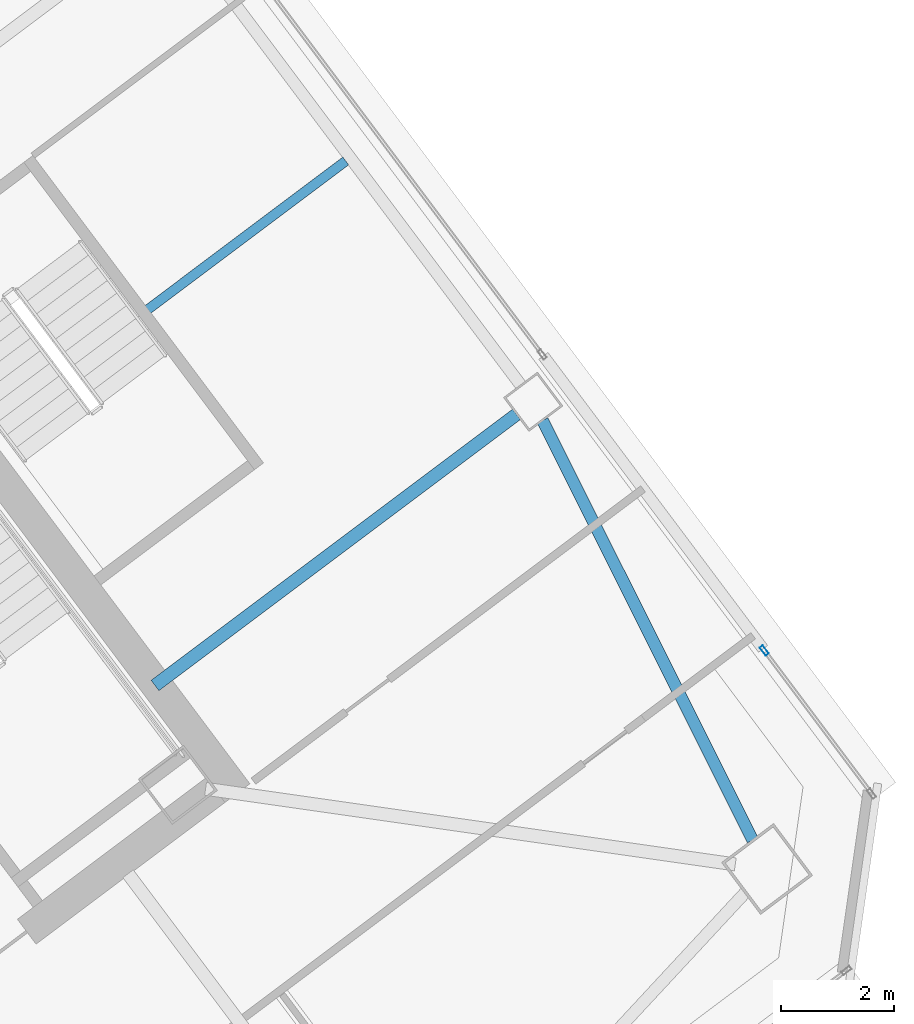
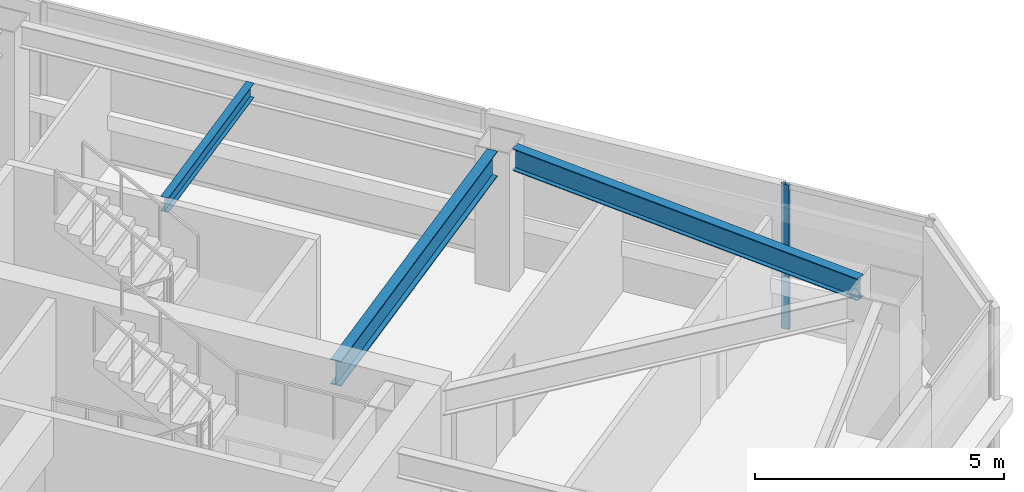
# One storey, part 24 of 41: 3 beams, 1 member, 1 element without a shape of its own.
"""IFC4 building model written with IfcOpenShell, lengths in metres."""

from ifc_helpers import new_model, si_unit, direction, frame, origin, origin_2d, place, context, subcontext, project, spatial, hollow_rectangle, i_section, extrude, material, material_profile, profile_set, type_object, element, aggregate, save


model = new_model("IFC4")

# Units and contexts
model_context = context("Model", 3, precision=1e-05, world=origin(), true_north=direction((0.0, 1.0)))
body_context = subcontext(model_context, "Body", "Model", "MODEL_VIEW")
ifc_project = project(units=[si_unit("LENGTHUNIT", "METRE"), si_unit("AREAUNIT", "SQUARE_METRE"), si_unit("VOLUMEUNIT", "CUBIC_METRE"), si_unit("PLANEANGLEUNIT", "RADIAN"), si_unit("MASSUNIT", "GRAM", prefix="KILO")], contexts=[model_context])

# Site, building, storey
site_placement = place(None, origin())
site = spatial("IfcSite", under=ifc_project, at=site_placement, CompositionType="ELEMENT")
building_placement = place(site_placement, origin())
building = spatial("IfcBuilding", under=site, at=building_placement, Name="Tashvorn Skyway Center", CompositionType="ELEMENT")
storey_placement = place(building_placement, frame((0.0, 0.0, 171.199951171875)))
storey = spatial("IfcBuildingStorey", under=building, at=storey_placement, Name="L46", CompositionType="ELEMENT", Elevation=171.199951171875)

# Beams
ifc_material_1 = material(Name="Steel ASTM A992 Grade 50", Category="steel")
ifc_material_profile_1 = material_profile(ifc_material_1, i_section(OverallWidth=0.22998046875, OverallDepth=0.616943359375, WebThickness=0.01318359375, FlangeThickness=0.022216796875, at=origin_2d()), Name="W24X94")
ifc_profile_set_1 = profile_set([ifc_material_profile_1], Name="Steel ASTM A992 Grade 50")
beam_type_1 = type_object("IfcBeamType", Name="BM-BEAM-W24X94", PredefinedType="BEAM", material=ifc_profile_set_1)
beam_1_placement = place(storey_placement, frame((129.864013671875, 37.14794921875, 3.0615234375), z_axis=(-0.799992675677, -0.60000976564, 0.0), x_axis=(0.60000976564, -0.799992675677, 0.0)))
element("IfcBeam", 1, at=beam_1_placement, inside=storey, type_object=beam_type_1, Name="Tower 2 L46 Primary Floor Girder FC-E1", PredefinedType="BEAM", context=body_context, shape_type="SweptSolid", body=[
    extrude(i_section(OverallWidth=0.22998046875, OverallDepth=0.616943359375, WebThickness=0.01318359375, FlangeThickness=0.022216796875, at=origin_2d()), origin(), (0.0, 0.0, 1.0), 8.0),
])
ifc_material_profile_2 = material_profile(ifc_material_1, i_section(OverallWidth=0.1708984375, OverallDepth=0.35498046875, WebThickness=0.007080078125, FlangeThickness=0.01171875, at=origin_2d()), Name="W14X34")
ifc_profile_set_2 = profile_set([ifc_material_profile_2], Name="Steel ASTM A992 Grade 50")
beam_type_2 = type_object("IfcBeamType", Name="BM-JOIST-W14X34", PredefinedType="JOIST", material=ifc_profile_set_2)
beam_2_placement = place(storey_placement, frame((123.3359375, 39.001953125, 3.192626953125), z_axis=(0.799993315235, 0.600008912917, 0.0), x_axis=(-0.600008912917, 0.799993315235, 0.0)))
element("IfcBeam", 2, at=beam_2_placement, inside=storey, type_object=beam_type_2, Name="Tower 2 L46 Secondary Composite Joist JE", PredefinedType="JOIST", context=body_context, shape_type="SweptSolid", body=[
    extrude(i_section(OverallWidth=0.1708984375, OverallDepth=0.35498046875, WebThickness=0.007080078125, FlangeThickness=0.01171875, at=origin_2d()), origin(), (0.0, 0.0, 1.0), 4.382568359375),
])
ifc_material_profile_3 = material_profile(ifc_material_1, i_section(OverallWidth=0.2109375, OverallDepth=0.5390625, WebThickness=0.01171875, FlangeThickness=0.018798828125, at=origin_2d()), Name="W21X73")
ifc_profile_set_3 = profile_set([ifc_material_profile_3], Name="Steel ASTM A992 Grade 50")
beam_type_3 = type_object("IfcBeamType", Name="BM-SPANDREL-W21X73", PredefinedType="SPANDREL", material=ifc_profile_set_3)
beam_3_placement = place(storey_placement, frame((134.044921875, 29.609619140625, 3.1005859375), z_axis=(-0.447648438059, 0.894209637559, 0.0), x_axis=(-0.894209637559, -0.447648438059, 0.0)))
element("IfcBeam", 3, at=beam_3_placement, inside=storey, type_object=beam_type_3, Name="Tower 2 L46 Spandrel Beam 04", PredefinedType="SPANDREL", context=body_context, shape_type="SweptSolid", body=[
    extrude(i_section(OverallWidth=0.2109375, OverallDepth=0.5390625, WebThickness=0.01171875, FlangeThickness=0.018798828125, at=origin_2d()), origin(), (0.0, 0.0, 1.0), 8.308349609375),
])

# Curtain wall, member
ifc_material_2 = material(Name="Thermally broken bronze-anodized aluminium 6063-T6", Category="aluminium")
curtain_wall_type = type_object("IfcCurtainWallType", Name="CW-CW-Z4", PredefinedType="NOTDEFINED", material=ifc_material_2)
curtain_wall_placement = place(storey_placement, origin())
curtain_wall = element("IfcCurtainWall", 4, at=curtain_wall_placement, inside=storey, type_object=curtain_wall_type, Name="Tower 2 L46 East Unitised Curtain Wall Glazing Group 3", PredefinedType="NOTDEFINED")
ifc_material_profile_4 = material_profile(ifc_material_2, hollow_rectangle(XDim=0.070068359375, YDim=0.179931640625, WallThickness=0.00390625, at=origin_2d()), Name="ALU-MULL-70x180")
ifc_profile_set_4 = profile_set([ifc_material_profile_4], Name="Thermally broken bronze-anodized aluminium 6063-T6")
member_type = type_object("IfcMemberType", Name="CWM-CW-Z4", PredefinedType="MULLION", material=ifc_profile_set_4)
member_placement = place(storey_placement, frame((134.2490234375, 32.968017578125, 0.0), z_axis=(0.0, 0.0, 1.0), x_axis=(0.799999999998, 0.600000000002, 0.0)))
member = element("IfcMember", 5, at=member_placement, type_object=member_type, Name="CW-Z4 mullion 1", PredefinedType="MULLION", context=body_context, shape_type="SweptSolid", body=[
    extrude(hollow_rectangle(XDim=0.070068359375, YDim=0.179931640625, WallThickness=0.00390625, at=origin_2d()), origin(), (0.0, 0.0, 1.0), 3.550048828125),
])
aggregate(curtain_wall, [member])

save(model, "model.ifc")
